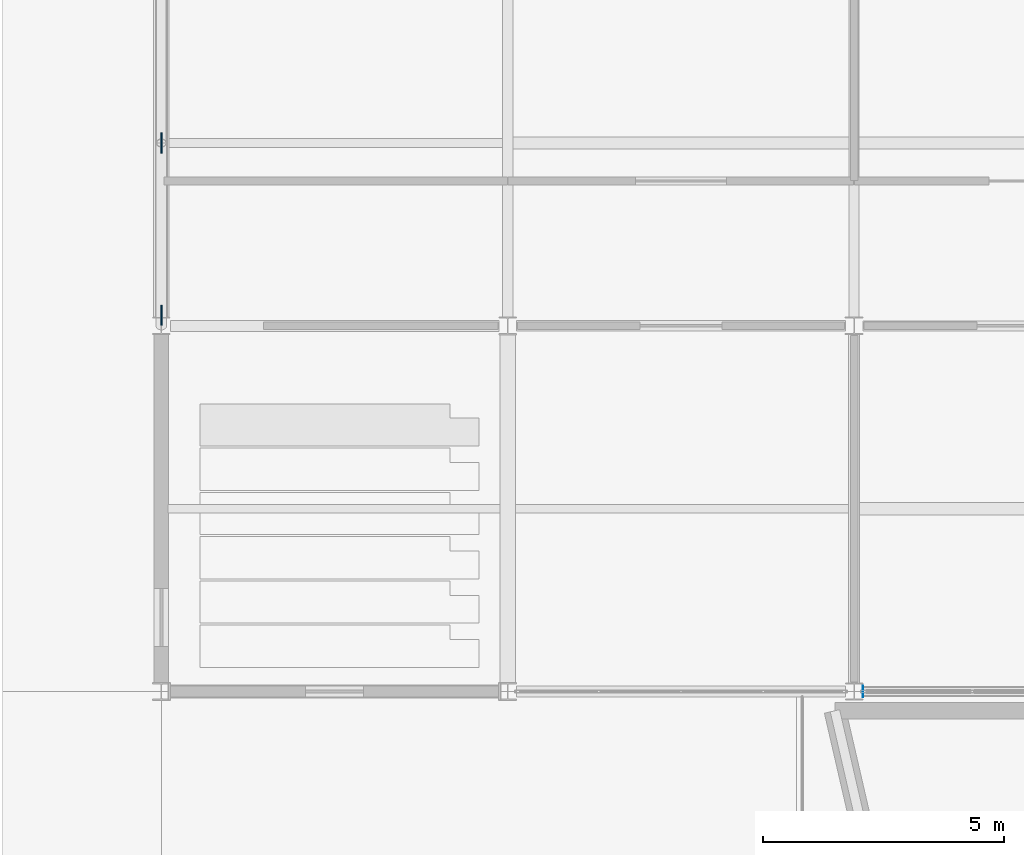
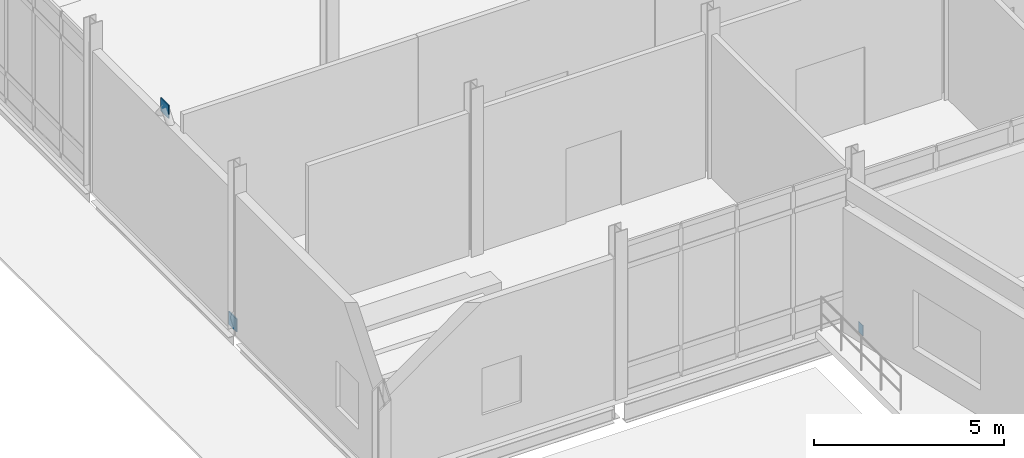
# One storey, part 160 of 229: 3 plates.
"""IFC4 building model written with IfcOpenShell, lengths in metres."""

from ifc_helpers import new_model, si_unit, direction, frame, origin, origin_2d, place, context, subcontext, project, spatial, rectangle, extrude, material, layer, layer_set, type_object, element, save


model = new_model("IFC4")

# Units and contexts
model_context = context("Model", 3, precision=1e-05, world=origin(), true_north=direction((0.0, 1.0)))
body_context = subcontext(model_context, "Body", "Model", "MODEL_VIEW")
ifc_project = project(units=[si_unit("LENGTHUNIT", "METRE"), si_unit("AREAUNIT", "SQUARE_METRE"), si_unit("VOLUMEUNIT", "CUBIC_METRE"), si_unit("PLANEANGLEUNIT", "RADIAN"), si_unit("MASSUNIT", "GRAM", prefix="KILO")], contexts=[model_context])

# Site, building, storey
site_placement = place(None, origin())
site = spatial("IfcSite", under=ifc_project, at=site_placement, CompositionType="ELEMENT")
building_placement = place(site_placement, origin())
building = spatial("IfcBuilding", under=site, at=building_placement, Name="Calvrana Isthmian Art Gallery", CompositionType="ELEMENT")
storey_placement = place(building_placement, origin())
storey = spatial("IfcBuildingStorey", under=building, at=storey_placement, Name="L00", CompositionType="ELEMENT", Elevation=0.0)

# Plates
ifc_material = material(Name="Steel ASTM A572 Gr 50", Category="steel")
ifc_layer_1 = layer(ifc_material, 0.01611328125, Name="Steel ASTM A572 Gr 50")
ifc_layer_set_1 = layer_set([ifc_layer_1], Name="Steel ASTM A572 Gr 50")
plate_type_1 = type_object("IfcPlateType", Name="PL-CAP-16", PredefinedType="SHEET", material=ifc_layer_set_1)
plate_placement = place(storey_placement, frame((14.583984375, 46.800048828125, -0.60986328125), z_axis=(0.0, 0.0, 1.0), x_axis=(1.0, 0.0, 0.0)))
element("IfcPlate", 1, at=plate_placement, inside=storey, type_object=plate_type_1, Name="Hollow section end cap plate 383", PredefinedType="SHEET", context=body_context, shape_type="SweptSolid", body=[
    extrude(rectangle(XDim=0.01611328125, YDim=0.2431640625, at=origin_2d()), origin(), (0.0, 0.0, 1.0), 0.3447265625),
])
ifc_layer_2 = layer(ifc_material, 0.031982421875, Name="Steel ASTM A572 Gr 50")
ifc_layer_set_2 = layer_set([ifc_layer_2], Name="Steel ASTM A572 Gr 50")
plate_type_2 = type_object("IfcPlateType", Name="PL-GUSSET-32", PredefinedType="USERDEFINED", material=ifc_layer_set_2)
for number, where, z_axis, x_axis, name in (
    (2, (0.0, 54.6201171875, -0.06005859375), (0.0, 0.0, 1.0), (1.0, 0.0, 0.0), "Chevron brace gusset plate L00-17L"),
    (3, (0.0, 58.199951171875, 4.6416015625), (0.0, 0.0, 1.0), (1.0, 0.0, 0.0), "Chevron brace gusset plate L00-17M"),
):
    element("IfcPlate", number, at=place(storey_placement, frame(where, z_axis=z_axis, x_axis=x_axis)), inside=storey, type_object=plate_type_2, Name=name, ObjectType="GUSSET PLATE", PredefinedType="USERDEFINED", context=body_context, shape_type="SweptSolid", body=[
        extrude(rectangle(XDim=0.031982421875, YDim=0.419921875, at=origin_2d()), origin(), (0.0, 0.0, 1.0), 0.419921875),
    ])

save(model, "model.ifc")
